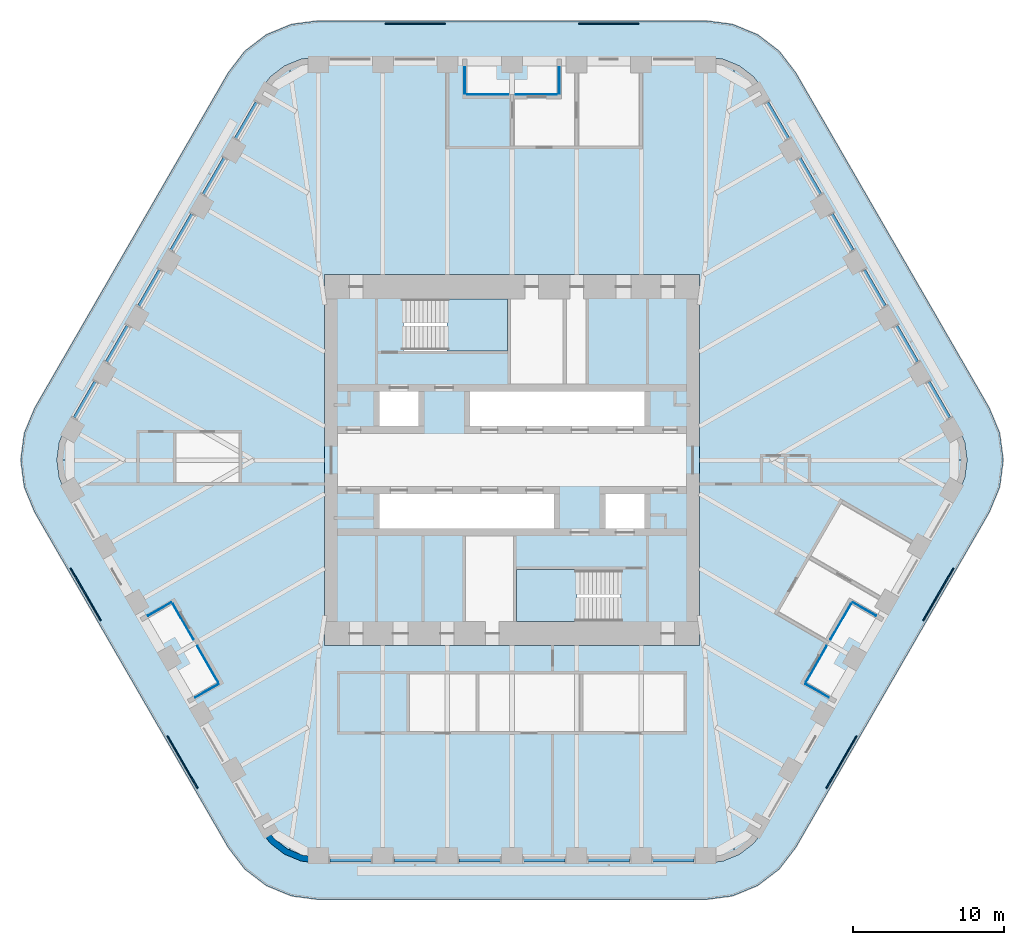
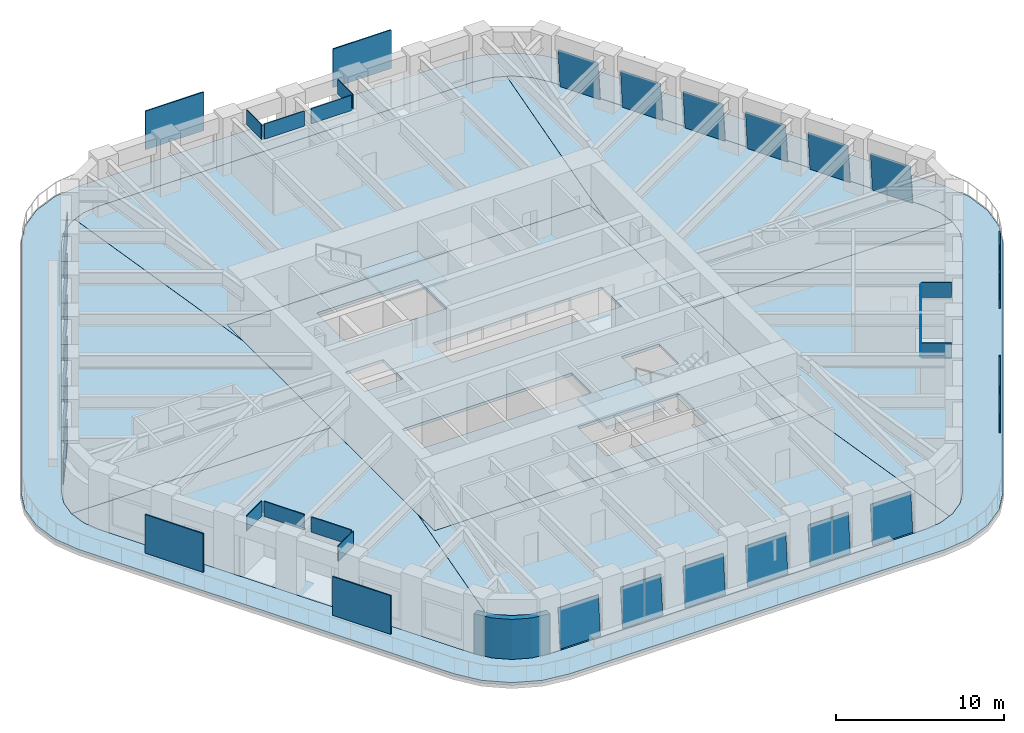
# One storey, part 12 of 19: 36 plates, 10 slabs, 1 wall, 20 elements without a shape of their own.
"""IFC4 building model written with IfcOpenShell, lengths in metres."""

from ifc_helpers import new_model, si_unit, direction, frame, origin, origin_2d, place, context, subcontext, project, spatial, polyline, rectangle, outline, extrude, material, layer, layer_set, type_object, element, aggregate, save


model = new_model("IFC4")

# Units and contexts
model_context = context("Model", 3, precision=1e-05, world=origin(), true_north=direction((0.0, 1.0)))
body_context = subcontext(model_context, "Body", "Model", "MODEL_VIEW")
ifc_project = project(units=[si_unit("LENGTHUNIT", "METRE"), si_unit("AREAUNIT", "SQUARE_METRE"), si_unit("VOLUMEUNIT", "CUBIC_METRE"), si_unit("PLANEANGLEUNIT", "RADIAN"), si_unit("MASSUNIT", "GRAM", prefix="KILO")], contexts=[model_context])

# Site, building, storey
site_placement = place(None, origin())
site = spatial("IfcSite", under=ifc_project, at=site_placement, CompositionType="ELEMENT")
building_placement = place(site_placement, origin())
building = spatial("IfcBuilding", under=site, at=building_placement, Name="Tarfa Lantern Tower", CompositionType="ELEMENT")
storey_placement = place(building_placement, frame((0.0, 0.0, 328.300048828125)))
storey = spatial("IfcBuildingStorey", under=building, at=storey_placement, Name="L74", CompositionType="ELEMENT", Elevation=328.300048828125)

# Slab
ifc_material_1 = material(Name="Concrete C40/50", Category="concrete")
ifc_layer_1 = layer(ifc_material_1, 0.199951171875)
ifc_layer_set_1 = layer_set([ifc_layer_1], Name="BS2 BALCONY SLAB 200")
slab_type_1 = type_object("IfcSlabType", Name="BS2 BALCONY SLAB 200", PredefinedType="FLOOR", material=ifc_layer_set_1)
slab_1_placement = place(storey_placement, frame((0.0, 0.0, -0.199951171875)))
element("IfcSlab", 1, at=slab_1_placement, inside=storey, type_object=slab_type_1, Name="Balcony L74", PredefinedType="FLOOR", context=body_context, shape_type="SweptSolid", body=[
    extrude(outline(polyline([(31.667724609375, 3.449951171875), (18.821533203125, 25.699951171875), (17.72509765625, 27.129150390625), (16.296142578125, 28.2255859375), (14.6318359375, 28.914794921875), (12.845947265625, 29.14990234375), (-12.845947265625, 29.14990234375), (-14.6318359375, 28.914794921875), (-16.296142578125, 28.2255859375), (-17.72509765625, 27.129150390625), (-18.821533203125, 25.699951171875), (-31.667724609375, 3.449951171875), (-32.35693359375, 1.785888671875), (-32.592041015625, 0.0), (-32.35693359375, -1.785888671875), (-31.667724609375, -3.449951171875), (-18.821533203125, -25.699951171875), (-17.72509765625, -27.129150390625), (-16.296142578125, -28.2255859375), (-14.6318359375, -28.914794921875), (-12.845947265625, -29.14990234375), (12.845947265625, -29.14990234375), (14.6318359375, -28.914794921875), (16.296142578125, -28.2255859375), (17.72509765625, -27.129150390625), (18.821533203125, -25.699951171875), (31.667724609375, -3.449951171875), (32.35693359375, -1.785888671875), (32.592041015625, 0.0), (32.35693359375, 1.785888671875), (31.667724609375, 3.449951171875)]), holes=[polyline([(29.589111328125, 2.25), (16.7431640625, 24.5), (16.028076171875, 25.431884765625), (15.095947265625, 26.147216796875), (14.0107421875, 26.5966796875), (12.845947265625, 26.75), (-12.845947265625, 26.75), (-14.0107421875, 26.5966796875), (-15.095947265625, 26.147216796875), (-16.028076171875, 25.431884765625), (-16.7431640625, 24.5), (-29.589111328125, 2.25), (-30.038818359375, 1.164794921875), (-30.192138671875, 0.0), (-30.038818359375, -1.164794921875), (-29.589111328125, -2.25), (-16.7431640625, -24.5), (-16.028076171875, -25.431884765625), (-15.095947265625, -26.147216796875), (-14.0107421875, -26.5966796875), (-12.845947265625, -26.75), (12.845947265625, -26.75), (14.0107421875, -26.5966796875), (15.095947265625, -26.147216796875), (16.028076171875, -25.431884765625), (16.7431640625, -24.5), (29.589111328125, -2.25), (30.038818359375, -1.164794921875), (30.192138671875, 0.0), (30.038818359375, 1.164794921875), (29.589111328125, 2.25)])]), origin(), (0.0, 0.0, 1.0), 0.199951171875),
])

# Curtain wall, plate
ifc_material_2 = material(Name="Aluminium framed curtain wall", Category="aluminium")
curtain_wall_type = type_object("IfcCurtainWallType", Name="CW4 CANTED GLAZING EXECUTIVE ZONE 2900", PredefinedType="USERDEFINED", material=ifc_material_2)
curtain_wall_1_placement = place(storey_placement, origin())
curtain_wall_1 = element("IfcCurtainWall", 2, at=curtain_wall_1_placement, inside=storey, type_object=curtain_wall_type, Name="CW4 NE L74", ObjectType="CURTAIN WALL", PredefinedType="USERDEFINED")
ifc_material_3 = material(Name="Laminated double glazing", Category="glass")
ifc_layer_2 = layer(ifc_material_3, 0.028076171875)
ifc_layer_set_2 = layer_set([ifc_layer_2], Name="CWP1 DOUBLE GLAZED PANEL")
plate_type_1 = type_object("IfcPlateType", Name="CWP1 DOUBLE GLAZED PANEL", PredefinedType="CURTAIN_PANEL", material=ifc_layer_set_2)
plate_1_placement = place(storey_placement, frame((29.1201171875, 2.862548828125, 0.0), z_axis=(0.862826843251, 0.498145061316, 0.085914704514), x_axis=(-0.499993790352, 0.866028988896, 0.0)))
plate_1 = element("IfcPlate", 3, at=plate_1_placement, type_object=plate_type_1, Name="CW4 panel 1.1", PredefinedType="CURTAIN_PANEL", context=body_context, shape_type="SweptSolid", body=[
    extrude(outline(polyline([(0.0, 0.0), (2.7519873027425428, -1.3877787807814457e-17), (2.7518930871171605, 2.8454821189991923), (-9.421562538261576e-05, 2.8454821189991923), (0.0, 0.0)])), origin(), (0.0, 0.0, -1.0), 0.028076171875),
])
aggregate(curtain_wall_1, [plate_1])

curtain_wall_2_placement = place(storey_placement, origin())
curtain_wall_2 = element("IfcCurtainWall", 4, at=curtain_wall_2_placement, inside=storey, type_object=curtain_wall_type, Name="CW4 NE L74", ObjectType="CURTAIN WALL", PredefinedType="USERDEFINED")
plate_2_placement = place(storey_placement, frame((26.97900390625, 6.57080078125, 0.0), z_axis=(0.862830022569, 0.498146896865, 0.085872121771), x_axis=(-0.499993790352, 0.866028988896, 0.0)))
plate_2 = element("IfcPlate", 5, at=plate_2_placement, type_object=plate_type_1, Name="CW4 panel 1.1", PredefinedType="CURTAIN_PANEL", context=body_context, shape_type="SweptSolid", body=[
    extrude(outline(polyline([(0.0, 0.0), (2.7519873027425428, 0.0), (2.7521045199757777, 2.84547163409362), (0.00011721723323467012, 2.84547163409362), (0.0, 0.0)])), origin(), (0.0, 0.0, -1.0), 0.028076171875),
])
aggregate(curtain_wall_2, [plate_2])

curtain_wall_3_placement = place(storey_placement, origin())
curtain_wall_3 = element("IfcCurtainWall", 6, at=curtain_wall_3_placement, inside=storey, type_object=curtain_wall_type, Name="CW4 NE L74", ObjectType="CURTAIN WALL", PredefinedType="USERDEFINED")
plate_3_placement = place(storey_placement, frame((24.838134765625, 10.279296875, 0.0), z_axis=(0.862826843251, 0.498145061316, 0.085914704514), x_axis=(-0.499993790352, 0.866028988896, 0.0)))
plate_3 = element("IfcPlate", 7, at=plate_3_placement, type_object=plate_type_1, Name="CW4 panel 1.1", PredefinedType="CURTAIN_PANEL", context=body_context, shape_type="SweptSolid", body=[
    extrude(outline(polyline([(0.0, 0.0), (2.7519873027425428, -1.3877787807814457e-17), (2.7518930871171605, 2.8454821189991923), (-9.421562538261576e-05, 2.8454821189991923), (0.0, 0.0)])), origin(), (0.0, 0.0, -1.0), 0.028076171875),
])
aggregate(curtain_wall_3, [plate_3])

curtain_wall_4_placement = place(storey_placement, origin())
curtain_wall_4 = element("IfcCurtainWall", 8, at=curtain_wall_4_placement, inside=storey, type_object=curtain_wall_type, Name="CW4 NE L74", ObjectType="CURTAIN WALL", PredefinedType="USERDEFINED")
plate_4_placement = place(storey_placement, frame((22.697021484375, 13.987548828125, 0.0), z_axis=(0.862826843251, 0.498145061316, 0.085914704514), x_axis=(-0.499993790352, 0.866028988896, 0.0)))
plate_4 = element("IfcPlate", 9, at=plate_4_placement, type_object=plate_type_1, Name="CW4 panel 1.1", PredefinedType="CURTAIN_PANEL", context=body_context, shape_type="SweptSolid", body=[
    extrude(outline(polyline([(0.0, 0.0), (2.7519873027425428, -1.3877787807814457e-17), (2.7518930871171605, 2.8454821189991923), (-9.421562538261576e-05, 2.8454821189991923), (0.0, 0.0)])), origin(), (0.0, 0.0, -1.0), 0.028076171875),
])
aggregate(curtain_wall_4, [plate_4])

curtain_wall_5_placement = place(storey_placement, origin())
curtain_wall_5 = element("IfcCurtainWall", 10, at=curtain_wall_5_placement, inside=storey, type_object=curtain_wall_type, Name="CW4 NE L74", ObjectType="CURTAIN WALL", PredefinedType="USERDEFINED")
plate_5_placement = place(storey_placement, frame((20.55615234375, 17.69580078125, 0.0), z_axis=(0.862830022569, 0.498146896865, 0.085872121771), x_axis=(-0.499993790352, 0.866028988896, 0.0)))
plate_5 = element("IfcPlate", 11, at=plate_5_placement, type_object=plate_type_1, Name="CW4 panel 1.1", PredefinedType="CURTAIN_PANEL", context=body_context, shape_type="SweptSolid", body=[
    extrude(outline(polyline([(0.0, 0.0), (2.7519873027425428, 0.0), (2.7521045199757777, 2.84547163409362), (0.00011721723323467012, 2.84547163409362), (0.0, 0.0)])), origin(), (0.0, 0.0, -1.0), 0.028076171875),
])
aggregate(curtain_wall_5, [plate_5])

curtain_wall_6_placement = place(storey_placement, origin())
curtain_wall_6 = element("IfcCurtainWall", 12, at=curtain_wall_6_placement, inside=storey, type_object=curtain_wall_type, Name="CW4 NE L74", ObjectType="CURTAIN WALL", PredefinedType="USERDEFINED")
plate_6_placement = place(storey_placement, frame((18.4150390625, 21.404296875, 0.0), z_axis=(0.862826843251, 0.498145061316, 0.085914704514), x_axis=(-0.499993790352, 0.866028988896, 0.0)))
plate_6 = element("IfcPlate", 13, at=plate_6_placement, type_object=plate_type_1, Name="CW4 panel 1.1", PredefinedType="CURTAIN_PANEL", context=body_context, shape_type="SweptSolid", body=[
    extrude(outline(polyline([(0.0, 0.0), (2.7519873027425428, -1.3877787807814457e-17), (2.7518930871171605, 2.8454821189991923), (-9.421562538261576e-05, 2.8454821189991923), (0.0, 0.0)])), origin(), (0.0, 0.0, -1.0), 0.028076171875),
])
aggregate(curtain_wall_6, [plate_6])

curtain_wall_7_placement = place(storey_placement, origin())
curtain_wall_7 = element("IfcCurtainWall", 14, at=curtain_wall_7_placement, inside=storey, type_object=curtain_wall_type, Name="CW4 NW L74", ObjectType="CURTAIN WALL", PredefinedType="USERDEFINED")
plate_7_placement = place(storey_placement, frame((-17.0390625, 23.78759765625, 0.0), z_axis=(-0.862826843251, 0.498145061316, 0.085914704514), x_axis=(-0.499993790352, -0.866028988896, 0.0)))
plate_7 = element("IfcPlate", 15, at=plate_7_placement, type_object=plate_type_1, Name="CW4 panel 1.1", PredefinedType="CURTAIN_PANEL", context=body_context, shape_type="SweptSolid", body=[
    extrude(outline(polyline([(0.0, 0.0), (2.7519873027425428, 1.3877787807814457e-17), (2.7520815183679255, 2.8454821189991923), (9.421562538261576e-05, 2.8454821189991923), (0.0, 0.0)])), origin(), (0.0, 0.0, -1.0), 0.028076171875),
])
aggregate(curtain_wall_7, [plate_7])

curtain_wall_8_placement = place(storey_placement, origin())
curtain_wall_8 = element("IfcCurtainWall", 16, at=curtain_wall_8_placement, inside=storey, type_object=curtain_wall_type, Name="CW4 NW L74", ObjectType="CURTAIN WALL", PredefinedType="USERDEFINED")
plate_8_placement = place(storey_placement, frame((-19.18017578125, 20.0791015625, 0.0), z_axis=(-0.862830022569, 0.498146896865, 0.085872121771), x_axis=(-0.499993790352, -0.866028988896, 0.0)))
plate_8 = element("IfcPlate", 17, at=plate_8_placement, type_object=plate_type_1, Name="CW4 panel 1.1", PredefinedType="CURTAIN_PANEL", context=body_context, shape_type="SweptSolid", body=[
    extrude(outline(polyline([(0.0, 0.0), (2.7519873027425428, 0.0), (2.7518700855093083, 2.84547163409362), (-0.00011721723323467012, 2.84547163409362), (0.0, 0.0)])), origin(), (0.0, 0.0, -1.0), 0.028076171875),
])
aggregate(curtain_wall_8, [plate_8])

curtain_wall_9_placement = place(storey_placement, origin())
curtain_wall_9 = element("IfcCurtainWall", 18, at=curtain_wall_9_placement, inside=storey, type_object=curtain_wall_type, Name="CW4 NW L74", ObjectType="CURTAIN WALL", PredefinedType="USERDEFINED")
plate_9_placement = place(storey_placement, frame((-21.321044921875, 16.370849609375, 0.0), z_axis=(-0.862826843251, 0.498145061316, 0.085914704514), x_axis=(-0.499993790352, -0.866028988896, 0.0)))
plate_9 = element("IfcPlate", 19, at=plate_9_placement, type_object=plate_type_1, Name="CW4 panel 1.1", PredefinedType="CURTAIN_PANEL", context=body_context, shape_type="SweptSolid", body=[
    extrude(outline(polyline([(0.0, 0.0), (2.7519873027425428, 1.3877787807814457e-17), (2.7520815183679255, 2.8454821189991923), (9.421562538261576e-05, 2.8454821189991923), (0.0, 0.0)])), origin(), (0.0, 0.0, -1.0), 0.028076171875),
])
aggregate(curtain_wall_9, [plate_9])

curtain_wall_10_placement = place(storey_placement, origin())
curtain_wall_10 = element("IfcCurtainWall", 20, at=curtain_wall_10_placement, inside=storey, type_object=curtain_wall_type, Name="CW4 NW L74", ObjectType="CURTAIN WALL", PredefinedType="USERDEFINED")
plate_10_placement = place(storey_placement, frame((-23.462158203125, 12.66259765625, 0.0), z_axis=(-0.862826843251, 0.498145061316, 0.085914704514), x_axis=(-0.499993790352, -0.866028988896, 0.0)))
plate_10 = element("IfcPlate", 21, at=plate_10_placement, type_object=plate_type_1, Name="CW4 panel 1.1", PredefinedType="CURTAIN_PANEL", context=body_context, shape_type="SweptSolid", body=[
    extrude(outline(polyline([(0.0, 0.0), (2.7519873027425428, 1.3877787807814457e-17), (2.7520815183679255, 2.8454821189991923), (9.421562538261576e-05, 2.8454821189991923), (0.0, 0.0)])), origin(), (0.0, 0.0, -1.0), 0.028076171875),
])
aggregate(curtain_wall_10, [plate_10])

curtain_wall_11_placement = place(storey_placement, origin())
curtain_wall_11 = element("IfcCurtainWall", 22, at=curtain_wall_11_placement, inside=storey, type_object=curtain_wall_type, Name="CW4 NW L74", ObjectType="CURTAIN WALL", PredefinedType="USERDEFINED")
plate_11_placement = place(storey_placement, frame((-25.60302734375, 8.9541015625, 0.0), z_axis=(-0.862830022569, 0.498146896865, 0.085872121771), x_axis=(-0.499993790352, -0.866028988896, 0.0)))
plate_11 = element("IfcPlate", 23, at=plate_11_placement, type_object=plate_type_1, Name="CW4 panel 1.1", PredefinedType="CURTAIN_PANEL", context=body_context, shape_type="SweptSolid", body=[
    extrude(outline(polyline([(0.0, 0.0), (2.7519873027425428, 0.0), (2.7518700855093083, 2.84547163409362), (-0.00011721723323467012, 2.84547163409362), (0.0, 0.0)])), origin(), (0.0, 0.0, -1.0), 0.028076171875),
])
aggregate(curtain_wall_11, [plate_11])

curtain_wall_12_placement = place(storey_placement, origin())
curtain_wall_12 = element("IfcCurtainWall", 24, at=curtain_wall_12_placement, inside=storey, type_object=curtain_wall_type, Name="CW4 NW L74", ObjectType="CURTAIN WALL", PredefinedType="USERDEFINED")
plate_12_placement = place(storey_placement, frame((-27.744140625, 5.245849609375, 0.0), z_axis=(-0.862826843251, 0.498145061316, 0.085914704514), x_axis=(-0.499993790352, -0.866028988896, 0.0)))
plate_12 = element("IfcPlate", 25, at=plate_12_placement, type_object=plate_type_1, Name="CW4 panel 1.1", PredefinedType="CURTAIN_PANEL", context=body_context, shape_type="SweptSolid", body=[
    extrude(outline(polyline([(0.0, 0.0), (2.7519873027425428, 1.3877787807814457e-17), (2.7520815183679255, 2.8454821189991923), (9.421562538261576e-05, 2.8454821189991923), (0.0, 0.0)])), origin(), (0.0, 0.0, -1.0), 0.028076171875),
])
aggregate(curtain_wall_12, [plate_12])

curtain_wall_13_placement = place(storey_placement, origin())
curtain_wall_13 = element("IfcCurtainWall", 26, at=curtain_wall_13_placement, inside=storey, type_object=curtain_wall_type, Name="CW4 S L74", ObjectType="CURTAIN WALL", PredefinedType="USERDEFINED")
plate_13_placement = place(storey_placement, frame((-12.0810546875, -26.64990234375, 0.0), z_axis=(0.0, -0.996305022141, 0.085885405371), x_axis=(1.0, 0.0, 0.0)))
plate_13 = element("IfcPlate", 27, at=plate_13_placement, type_object=plate_type_1, Name="CW4 panel 1.1", PredefinedType="CURTAIN_PANEL", context=body_context, shape_type="SweptSolid", body=[
    extrude(outline(polyline([(0.0, 0.0), (2.751953125, 0.0), (2.751953125, 2.8454749042682606), (0.0, 2.8454749042682606), (0.0, 0.0)])), origin(), (0.0, 0.0, -1.0), 0.028076171875),
])
aggregate(curtain_wall_13, [plate_13])

curtain_wall_14_placement = place(storey_placement, origin())
curtain_wall_14 = element("IfcCurtainWall", 28, at=curtain_wall_14_placement, inside=storey, type_object=curtain_wall_type, Name="CW4 S L74", ObjectType="CURTAIN WALL", PredefinedType="USERDEFINED")
plate_14_placement = place(storey_placement, frame((-7.799072265625, -26.64990234375, 0.0), z_axis=(0.0, -0.996305022141, 0.085885405371), x_axis=(1.0, 0.0, 0.0)))
plate_14 = element("IfcPlate", 29, at=plate_14_placement, type_object=plate_type_1, Name="CW4 panel 1.1", PredefinedType="CURTAIN_PANEL", context=body_context, shape_type="SweptSolid", body=[
    extrude(outline(polyline([(0.0, 0.0), (2.751953125, 0.0), (2.751953125, 2.8454749042682606), (0.0, 2.8454749042682606), (0.0, 0.0)])), origin(), (0.0, 0.0, -1.0), 0.028076171875),
])
aggregate(curtain_wall_14, [plate_14])

curtain_wall_15_placement = place(storey_placement, origin())
curtain_wall_15 = element("IfcCurtainWall", 30, at=curtain_wall_15_placement, inside=storey, type_object=curtain_wall_type, Name="CW4 S L74", ObjectType="CURTAIN WALL", PredefinedType="USERDEFINED")
plate_15_placement = place(storey_placement, frame((-3.51708984375, -26.64990234375, 0.0), z_axis=(0.0, -0.996305022141, 0.085885405371), x_axis=(1.0, 0.0, 0.0)))
plate_15 = element("IfcPlate", 31, at=plate_15_placement, type_object=plate_type_1, Name="CW4 panel 1.1", PredefinedType="CURTAIN_PANEL", context=body_context, shape_type="SweptSolid", body=[
    extrude(outline(polyline([(0.0, 0.0), (2.752197265625, 0.0), (2.752197265625, 2.8454749042682606), (0.0, 2.8454749042682606), (0.0, 0.0)])), origin(), (0.0, 0.0, -1.0), 0.028076171875),
])
aggregate(curtain_wall_15, [plate_15])

curtain_wall_16_placement = place(storey_placement, origin())
curtain_wall_16 = element("IfcCurtainWall", 32, at=curtain_wall_16_placement, inside=storey, type_object=curtain_wall_type, Name="CW4 S L74", ObjectType="CURTAIN WALL", PredefinedType="USERDEFINED")
plate_16_placement = place(storey_placement, frame((0.764892578125, -26.64990234375, 0.0), z_axis=(0.0, -0.996305022141, 0.085885405371), x_axis=(1.0, 0.0, 0.0)))
plate_16 = element("IfcPlate", 33, at=plate_16_placement, type_object=plate_type_1, Name="CW4 panel 1.1", PredefinedType="CURTAIN_PANEL", context=body_context, shape_type="SweptSolid", body=[
    extrude(outline(polyline([(0.0, 0.0), (2.752197265625, 0.0), (2.752197265625, 2.8454749042682606), (0.0, 2.8454749042682606), (0.0, 0.0)])), origin(), (0.0, 0.0, -1.0), 0.028076171875),
])
aggregate(curtain_wall_16, [plate_16])

curtain_wall_17_placement = place(storey_placement, origin())
curtain_wall_17 = element("IfcCurtainWall", 34, at=curtain_wall_17_placement, inside=storey, type_object=curtain_wall_type, Name="CW4 S L74", ObjectType="CURTAIN WALL", PredefinedType="USERDEFINED")
plate_17_placement = place(storey_placement, frame((5.047119140625, -26.64990234375, 0.0), z_axis=(0.0, -0.996305022141, 0.085885405371), x_axis=(1.0, 0.0, 0.0)))
plate_17 = element("IfcPlate", 35, at=plate_17_placement, type_object=plate_type_1, Name="CW4 panel 1.1", PredefinedType="CURTAIN_PANEL", context=body_context, shape_type="SweptSolid", body=[
    extrude(outline(polyline([(0.0, 0.0), (2.751953125, 0.0), (2.751953125, 2.8454749042682606), (0.0, 2.8454749042682606), (0.0, 0.0)])), origin(), (0.0, 0.0, -1.0), 0.028076171875),
])
aggregate(curtain_wall_17, [plate_17])

curtain_wall_18_placement = place(storey_placement, origin())
curtain_wall_18 = element("IfcCurtainWall", 36, at=curtain_wall_18_placement, inside=storey, type_object=curtain_wall_type, Name="CW4 S L74", ObjectType="CURTAIN WALL", PredefinedType="USERDEFINED")
plate_18_placement = place(storey_placement, frame((9.3291015625, -26.64990234375, 0.0), z_axis=(0.0, -0.996305022141, 0.085885405371), x_axis=(1.0, 0.0, 0.0)))
plate_18 = element("IfcPlate", 37, at=plate_18_placement, type_object=plate_type_1, Name="CW4 panel 1.1", PredefinedType="CURTAIN_PANEL", context=body_context, shape_type="SweptSolid", body=[
    extrude(outline(polyline([(0.0, 0.0), (2.751953125, 0.0), (2.751953125, 2.8454749042682606), (0.0, 2.8454749042682606), (0.0, 0.0)])), origin(), (0.0, 0.0, -1.0), 0.028076171875),
])
aggregate(curtain_wall_18, [plate_18])

# Slabs
ifc_layer_3 = layer(ifc_material_1, 0.199951171875)
ifc_layer_set_3 = layer_set([ifc_layer_3], Name="FS1 FLOOR SLAB 200")
slab_type_2 = type_object("IfcSlabType", Name="FS1 FLOOR SLAB 200", PredefinedType="FLOOR", material=ifc_layer_set_3)
slab_2_placement = place(storey_placement, frame((0.0, 0.0, -0.199951171875)))
element("IfcSlab", 38, at=slab_2_placement, inside=storey, type_object=slab_type_2, Name="Floor slab L74", PredefinedType="FLOOR", context=body_context, shape_type="SweptSolid", body=[
    extrude(outline(polyline([(-12.425048828125, -12.300048828125), (12.425048828125, -12.300048828125), (12.425048828125, 12.300048828125), (-12.425048828125, 12.300048828125), (-12.425048828125, -12.300048828125)]), holes=[polyline([(-8.800048828125, 2.25), (-6.199951171875, 2.25), (-6.199951171875, 4.550048828125), (-8.800048828125, 4.550048828125), (-8.800048828125, 2.25)]), polyline([(-2.800048828125, 2.25), (8.800048828125, 2.25), (8.800048828125, 4.550048828125), (-2.800048828125, 4.550048828125), (-2.800048828125, 2.25)]), polyline([(8.800048828125, -2.25), (6.199951171875, -2.25), (6.199951171875, -4.550048828125), (8.800048828125, -4.550048828125), (8.800048828125, -2.25)]), polyline([(2.800048828125, -2.25), (-8.800048828125, -2.25), (-8.800048828125, -4.550048828125), (2.800048828125, -4.550048828125), (2.800048828125, -2.25)]), polyline([(-7.199951171875, 7.25), (-0.300048828125, 7.25), (-0.300048828125, 10.699951171875), (-7.199951171875, 10.699951171875), (-7.199951171875, 7.25)]), polyline([(7.199951171875, -7.25), (0.300048828125, -7.25), (0.300048828125, -10.699951171875), (7.199951171875, -10.699951171875), (7.199951171875, -7.25)])]), origin(), (0.0, 0.0, 1.0), 0.199951171875),
])
slab_3_placement = place(storey_placement, frame((0.0, 0.0, -0.199951171875)))
element("IfcSlab", 39, at=slab_3_placement, inside=storey, type_object=slab_type_2, Name="Floor slab L74 NE bay", PredefinedType="FLOOR", context=body_context, shape_type="SweptSolid", body=[
    extrude(outline(polyline([(29.58740234375, 2.2490234375), (16.741455078125, 24.498779296875), (16.026611328125, 25.4306640625), (15.094970703125, 26.145263671875), (14.802001953125, 26.2666015625), (12.427001953125, 10.2998046875), (12.427001953125, 0.001953125), (30.189697265625, 0.001953125), (30.036865234375, 1.1640625), (29.58740234375, 2.2490234375)])), origin(), (0.0, 0.0, 1.0), 0.199951171875),
])
slab_4_placement = place(storey_placement, frame((0.0, 0.0, -0.199951171875)))
element("IfcSlab", 40, at=slab_4_placement, inside=storey, type_object=slab_type_2, Name="Floor slab L74 N bay", PredefinedType="FLOOR", context=body_context, shape_type="SweptSolid", body=[
    extrude(outline(polyline([(-12.427001953125, 10.3271484375), (-12.427001953125, 12.302001953125), (12.427001953125, 12.302001953125), (12.427001953125, 10.3271484375), (14.79833984375, 26.268310546875), (14.01025390625, 26.5947265625), (12.845947265625, 26.748046875), (-12.845947265625, 26.748046875), (-14.01025390625, 26.5947265625), (-14.79833984375, 26.268310546875), (-12.427001953125, 10.3271484375)])), origin(), (0.0, 0.0, 1.0), 0.199951171875),
])
slab_5_placement = place(storey_placement, frame((0.0, 0.0, -0.199951171875)))
element("IfcSlab", 41, at=slab_5_placement, inside=storey, type_object=slab_type_2, Name="Floor slab L74 NW bay", PredefinedType="FLOOR", context=body_context, shape_type="SweptSolid", body=[
    extrude(outline(polyline([(-12.427001953125, 0.001953125), (-12.427001953125, 10.2998046875), (-14.802001953125, 26.2666015625), (-15.094970703125, 26.145263671875), (-16.026611328125, 25.4306640625), (-16.741455078125, 24.498779296875), (-29.58740234375, 2.2490234375), (-30.036865234375, 1.1640625), (-30.189697265625, 0.001953125), (-12.427001953125, 0.001953125)])), origin(), (0.0, 0.0, 1.0), 0.199951171875),
])
slab_6_placement = place(storey_placement, frame((0.0, 0.0, -0.199951171875)))
element("IfcSlab", 42, at=slab_6_placement, inside=storey, type_object=slab_type_2, Name="Floor slab L74 SW bay", PredefinedType="FLOOR", context=body_context, shape_type="SweptSolid", body=[
    extrude(outline(polyline([(-12.427001953125, -10.2998046875), (-12.427001953125, -0.001953125), (-30.189697265625, -0.001953125), (-30.036865234375, -1.1640625), (-29.58740234375, -2.2490234375), (-16.741455078125, -24.498779296875), (-16.026611328125, -25.4306640625), (-15.094970703125, -26.145263671875), (-14.802001953125, -26.2666015625), (-12.427001953125, -10.2998046875)])), origin(), (0.0, 0.0, 1.0), 0.199951171875),
])
slab_7_placement = place(storey_placement, frame((0.0, 0.0, -0.199951171875)))
element("IfcSlab", 43, at=slab_7_placement, inside=storey, type_object=slab_type_2, Name="Floor slab L74 S bay", PredefinedType="FLOOR", context=body_context, shape_type="SweptSolid", body=[
    extrude(outline(polyline([(12.427001953125, -10.3271484375), (12.427001953125, -12.302001953125), (-12.427001953125, -12.302001953125), (-12.427001953125, -10.3271484375), (-14.79833984375, -26.268310546875), (-14.01025390625, -26.5947265625), (-12.845947265625, -26.748046875), (12.845947265625, -26.748046875), (14.01025390625, -26.5947265625), (14.79833984375, -26.268310546875), (12.427001953125, -10.3271484375)])), origin(), (0.0, 0.0, 1.0), 0.199951171875),
])
slab_8_placement = place(storey_placement, frame((0.0, 0.0, -0.199951171875)))
element("IfcSlab", 44, at=slab_8_placement, inside=storey, type_object=slab_type_2, Name="Floor slab L74 SE bay", PredefinedType="FLOOR", context=body_context, shape_type="SweptSolid", body=[
    extrude(outline(polyline([(12.427001953125, -0.001953125), (12.427001953125, -10.2998046875), (14.802001953125, -26.2666015625), (15.094970703125, -26.145263671875), (16.026611328125, -25.4306640625), (16.741455078125, -24.498779296875), (29.58740234375, -2.2490234375), (30.036865234375, -1.1640625), (30.189697265625, -0.001953125), (12.427001953125, -0.001953125)])), origin(), (0.0, 0.0, 1.0), 0.199951171875),
])

# Plates
ifc_material_4 = material(Name="Aluminium fascia panel", Category="aluminium")
ifc_layer_4 = layer(ifc_material_4, 0.050048828125)
ifc_layer_set_4 = layer_set([ifc_layer_4], Name="LF1 LOGGIA HEAD FASCIA 50")
plate_type_2 = type_object("IfcPlateType", Name="LF1 LOGGIA HEAD FASCIA 50", PredefinedType="USERDEFINED", material=ifc_layer_set_4)
for number, where, z_axis, x_axis, name in (
    (45, (1.615966796875, 24.25, 2.89990234375), (0.0, 0.0, 1.0), (-1.0, 0.0, 0.0), "Terrace head fascia N"),
    (46, (-1.615966796875, 24.25, 2.89990234375), (0.0, 0.0, 1.0), (-1.0, 0.0, 0.0), "Terrace head fascia N"),
):
    element("IfcPlate", number, at=place(storey_placement, frame(where, z_axis=z_axis, x_axis=x_axis)), inside=storey, type_object=plate_type_2, Name=name, ObjectType="FASCIA", PredefinedType="USERDEFINED", context=body_context, shape_type="SweptSolid", body=[
        extrude(rectangle(XDim=2.73193359375, YDim=0.050048828125, at=origin_2d()), origin(), (0.0, 0.0, 1.0), 1.10009765625),
    ])
for number, where, z_axis, x_axis, name in (
    (47, (3.132080078125, 25.18505859375, 2.89990234375), (0.0, 0.0, 1.0), (0.0, -1.0, 0.0), "Terrace head fascia N"),
    (48, (-3.132080078125, 25.18505859375, 2.89990234375), (0.0, 0.0, 1.0), (0.0, -1.0, 0.0), "Terrace head fascia N"),
):
    element("IfcPlate", number, at=place(storey_placement, frame(where, z_axis=z_axis, x_axis=x_axis)), inside=storey, type_object=plate_type_2, Name=name, ObjectType="FASCIA", PredefinedType="USERDEFINED", context=body_context, shape_type="SweptSolid", body=[
        extrude(rectangle(XDim=1.77001953125, YDim=0.050048828125, at=origin_2d()), origin(), (0.0, 0.0, 1.0), 1.10009765625),
    ])
for number, where, z_axis, x_axis, name in (
    (49, (-21.80908203125, -10.7255859375, 2.89990234375), (0.0, 0.0, 1.0), (0.5, -0.866025403784, 0.0), "Terrace head fascia SW"),
    (50, (-20.193115234375, -13.5244140625, 2.89990234375), (0.0, 0.0, 1.0), (0.5, -0.866025403784, 0.0), "Terrace head fascia SW"),
):
    element("IfcPlate", number, at=place(storey_placement, frame(where, z_axis=z_axis, x_axis=x_axis)), inside=storey, type_object=plate_type_2, Name=name, ObjectType="FASCIA", PredefinedType="USERDEFINED", context=body_context, shape_type="SweptSolid", body=[
        extrude(rectangle(XDim=2.73193359375, YDim=0.050048828125, at=origin_2d()), origin(), (0.0, 0.0, 1.0), 1.10009765625),
    ])
for number, where, z_axis, x_axis, name in (
    (51, (-23.376953125, -9.880126953125, 2.89990234375), (0.0, 0.0, 1.0), (0.866025403784, 0.5, 0.0), "Terrace head fascia SW"),
    (52, (-20.244873046875, -15.304931640625, 2.89990234375), (0.0, 0.0, 1.0), (0.866025403784, 0.5, 0.0), "Terrace head fascia SW"),
):
    element("IfcPlate", number, at=place(storey_placement, frame(where, z_axis=z_axis, x_axis=x_axis)), inside=storey, type_object=plate_type_2, Name=name, ObjectType="FASCIA", PredefinedType="USERDEFINED", context=body_context, shape_type="SweptSolid", body=[
        extrude(rectangle(XDim=1.77001953125, YDim=0.050048828125, at=origin_2d()), origin(), (0.0, 0.0, 1.0), 1.10009765625),
    ])
for number, where, z_axis, x_axis, name in (
    (53, (20.193115234375, -13.5244140625, 2.89990234375), (0.0, 0.0, 1.0), (0.5, 0.866025403784, 0.0), "Terrace head fascia SE"),
    (54, (21.80908203125, -10.7255859375, 2.89990234375), (0.0, 0.0, 1.0), (0.5, 0.866025403784, 0.0), "Terrace head fascia SE"),
):
    element("IfcPlate", number, at=place(storey_placement, frame(where, z_axis=z_axis, x_axis=x_axis)), inside=storey, type_object=plate_type_2, Name=name, ObjectType="FASCIA", PredefinedType="USERDEFINED", context=body_context, shape_type="SweptSolid", body=[
        extrude(rectangle(XDim=2.73193359375, YDim=0.050048828125, at=origin_2d()), origin(), (0.0, 0.0, 1.0), 1.10009765625),
    ])
for number, where, z_axis, x_axis, name in (
    (55, (20.244873046875, -15.304931640625, 2.89990234375), (0.0, 0.0, 1.0), (-0.866025403784, 0.5, 0.0), "Terrace head fascia SE"),
    (56, (23.376953125, -9.880126953125, 2.89990234375), (0.0, 0.0, 1.0), (-0.866025403784, 0.5, 0.0), "Terrace head fascia SE"),
):
    element("IfcPlate", number, at=place(storey_placement, frame(where, z_axis=z_axis, x_axis=x_axis)), inside=storey, type_object=plate_type_2, Name=name, ObjectType="FASCIA", PredefinedType="USERDEFINED", context=body_context, shape_type="SweptSolid", body=[
        extrude(rectangle(XDim=1.77001953125, YDim=0.050048828125, at=origin_2d()), origin(), (0.0, 0.0, 1.0), 1.10009765625),
    ])
ifc_material_5 = material(Name="Perforated limestone screen", Category="masonry")
ifc_layer_5 = layer(ifc_material_5, 0.080078125)
ifc_layer_set_5 = layer_set([ifc_layer_5], Name="SC1 STONE SCREEN 80")
plate_type_3 = type_object("IfcPlateType", Name="SC1 STONE SCREEN 80", PredefinedType="USERDEFINED", material=ifc_layer_set_5)
for number, where, z_axis, x_axis, name in (
    (57, (6.423095703125, 28.949951171875, 1.19970703125), (0.0, 0.0, 1.0), (-1.0, 0.0, 0.0), "Stone screen N 1"),
    (58, (-6.423095703125, 28.949951171875, 1.19970703125), (0.0, 0.0, 1.0), (-1.0, 0.0, 0.0), "Stone screen N 2"),
    (59, (-28.282958984375, -8.91259765625, 1.19970703125), (0.0, 0.0, 1.0), (0.5, -0.866025403784, 0.0), "Stone screen SW 1"),
    (60, (-21.85986328125, -20.03759765625, 1.19970703125), (0.0, 0.0, 1.0), (0.5, -0.866025403784, 0.0), "Stone screen SW 2"),
    (61, (21.85986328125, -20.03759765625, 1.19970703125), (0.0, 0.0, 1.0), (0.5, 0.866025403784, 0.0), "Stone screen SE 1"),
    (62, (28.282958984375, -8.91259765625, 1.19970703125), (0.0, 0.0, 1.0), (0.5, 0.866025403784, 0.0), "Stone screen SE 2"),
):
    element("IfcPlate", number, at=place(storey_placement, frame(where, z_axis=z_axis, x_axis=x_axis)), inside=storey, type_object=plate_type_3, Name=name, ObjectType="SCREEN", PredefinedType="USERDEFINED", context=body_context, shape_type="SweptSolid", body=[
        extrude(rectangle(XDim=4.0, YDim=0.080078125, at=origin_2d()), origin(), (0.0, 0.0, 1.0), 2.800048828125),
    ])

# Stair, slab
stair_type = type_object("IfcStairType", Name="ST-T10 HALF-TURN STAIR 4200 RISE", PredefinedType="HALF_TURN_STAIR", material=ifc_material_1)
stair_1_placement = place(storey_placement, origin())
stair_1 = element("IfcStair", 63, at=stair_1_placement, inside=storey, type_object=stair_type, Name="Stair ST1", PredefinedType="HALF_TURN_STAIR")
ifc_layer_6 = layer(ifc_material_1, 0.199951171875)
ifc_layer_set_6 = layer_set([ifc_layer_6], Name="SL1 STAIR LANDING 200")
slab_type_3 = type_object("IfcSlabType", Name="SL1 STAIR LANDING 200", PredefinedType="LANDING", material=ifc_layer_set_6)
slab_9_placement = place(storey_placement, frame((0.0, 0.0, 1.89990234375)))
slab_9 = element("IfcSlab", 64, at=slab_9_placement, type_object=slab_type_3, Name="ST1 landing 1", PredefinedType="LANDING", context=body_context, shape_type="SweptSolid", body=[
    extrude(outline(polyline([(-4.320068359375, 7.25), (-0.300048828125, 7.25), (-0.300048828125, 10.699951171875), (-4.320068359375, 10.699951171875), (-4.320068359375, 7.25)])), origin(), (0.0, 0.0, 1.0), 0.199951171875),
])
aggregate(stair_1, [slab_9])

stair_2_placement = place(storey_placement, origin())
stair_2 = element("IfcStair", 65, at=stair_2_placement, inside=storey, type_object=stair_type, Name="Stair ST2", PredefinedType="HALF_TURN_STAIR")
slab_10_placement = place(storey_placement, frame((0.0, 0.0, 1.89990234375)))
slab_10 = element("IfcSlab", 66, at=slab_10_placement, type_object=slab_type_3, Name="ST2 landing 1", PredefinedType="LANDING", context=body_context, shape_type="SweptSolid", body=[
    extrude(outline(polyline([(4.320068359375, -7.25), (0.300048828125, -7.25), (0.300048828125, -10.699951171875), (4.320068359375, -10.699951171875), (4.320068359375, -7.25)])), origin(), (0.0, 0.0, 1.0), 0.199951171875),
])
aggregate(stair_2, [slab_10])

# Wall
ifc_material_6 = material(Name="Limestone cladding on blockwork", Category="masonry")
ifc_layer_7 = layer(ifc_material_6, 0.39990234375)
ifc_layer_set_7 = layer_set([ifc_layer_7], Name="EW2 CURVED STONE CORNER 400")
wall_type = type_object("IfcWallType", Name="EW2 CURVED STONE CORNER 400", PredefinedType="SOLIDWALL", material=ifc_layer_set_7)
wall_placement = place(storey_placement, origin())
element("IfcWall", 67, at=wall_placement, inside=storey, type_object=wall_type, Name="Stone corner SW-S", PredefinedType="SOLIDWALL", context=body_context, shape_type="SweptSolid", body=[
    extrude(outline(polyline([(-16.7431640625, -24.5), (-16.028076171875, -25.431884765625), (-15.095947265625, -26.147216796875), (-14.0107421875, -26.5966796875), (-12.845947265625, -26.75), (-12.845947265625, -26.35009765625), (-13.9072265625, -26.210205078125), (-14.89599609375, -25.80078125), (-15.7451171875, -25.149169921875), (-16.396728515625, -24.300048828125), (-16.7431640625, -24.5)])), origin(), (0.0, 0.0, 1.0), 2.89990234375),
])

save(model, "model.ifc")
